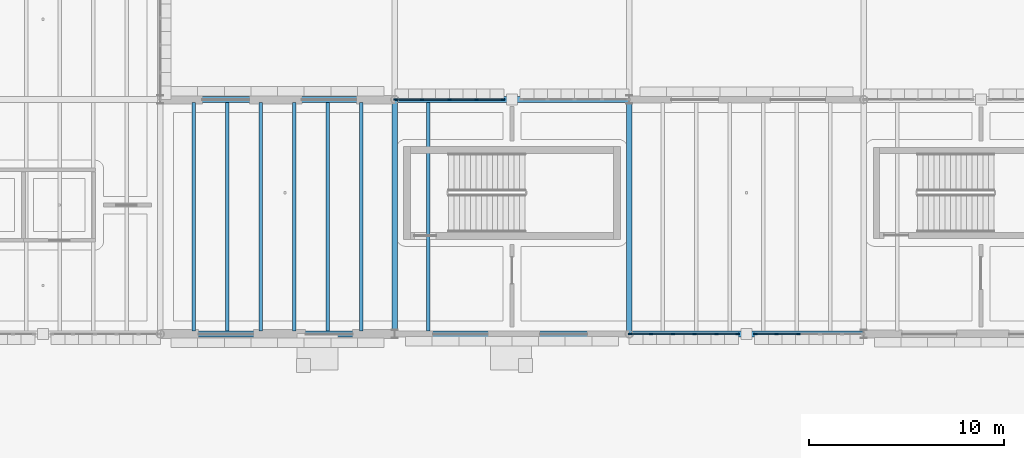
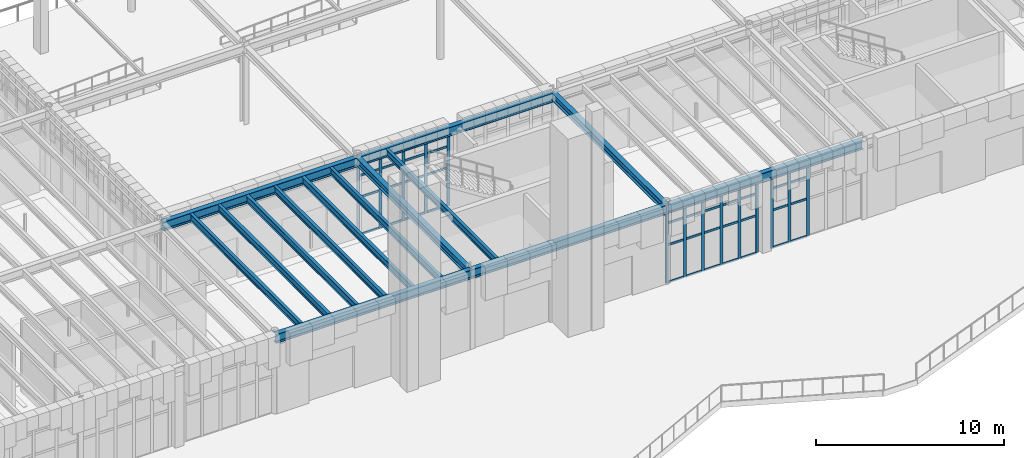
# One storey, part 26 of 103: 58 members, 14 beams, 3 elements without a shape of their own.
"""IFC4 building model written with IfcOpenShell, lengths in metres."""

from ifc_helpers import new_model, si_unit, direction, frame, origin, origin_2d, place, context, subcontext, project, spatial, rectangle, i_section, extrude, material, layer, layer_set, material_profile, profile_set, type_object, element, aggregate, save


model = new_model("IFC4")

# Units and contexts
model_context = context("Model", 3, precision=1e-05, world=origin(), true_north=direction((0.0, 1.0)))
body_context = subcontext(model_context, "Body", "Model", "MODEL_VIEW")
ifc_project = project(units=[si_unit("LENGTHUNIT", "METRE"), si_unit("AREAUNIT", "SQUARE_METRE"), si_unit("VOLUMEUNIT", "CUBIC_METRE"), si_unit("PLANEANGLEUNIT", "RADIAN"), si_unit("MASSUNIT", "GRAM", prefix="KILO")], contexts=[model_context])

# Site, building, storey
site_placement = place(None, origin())
site = spatial("IfcSite", under=ifc_project, at=site_placement, CompositionType="ELEMENT")
building_placement = place(site_placement, origin())
building = spatial("IfcBuilding", under=site, at=building_placement, Name="Zlatogorsky Bluff Art Gallery", CompositionType="ELEMENT")
storey_placement = place(building_placement, origin())
storey = spatial("IfcBuildingStorey", under=building, at=storey_placement, Name="L00", CompositionType="ELEMENT", Elevation=0.0)

# Beams
ifc_material_1 = material(Name="Steel S355", Category="steel")
ifc_material_profile_1 = material_profile(ifc_material_1, i_section(OverallWidth=0.300048828125, OverallDepth=0.590087890625, WebThickness=0.012939453125, FlangeThickness=0.02490234375, FilletRadius=0.027099609375, at=origin_2d()), Name="HEA 600")
ifc_profile_set_1 = profile_set([ifc_material_profile_1], Name="Steel S355")
beam_type_1 = type_object("IfcBeamType", Name="Beam BM-05 HEA 600", PredefinedType="BEAM", material=ifc_profile_set_1)
for number, where, z_axis, x_axis, name in (
    (1, (60.014892578125, 84.0, 4.844970703125), (1.0, 0.0, 0.0), (0.0, 1.0, 0.0), "Primary girder BM-05 L00 F-G/9"),
    (2, (60.014892578125, 96.0, 4.844970703125), (1.0, 0.0, 0.0), (0.0, 1.0, 0.0), "Primary girder BM-05 L00 F-G/10"),
    (3, (72.014892578125, 84.0, 4.844970703125), (1.0, 0.0, 0.0), (0.0, 1.0, 0.0), "Primary girder BM-05 L00 G-H/9"),
    (4, (72.014892578125, 96.0, 4.844970703125), (1.0, 0.0, 0.0), (0.0, 1.0, 0.0), "Primary girder BM-05 L00 G-H/10"),
    (5, (84.014892578125, 84.0, 4.844970703125), (1.0, 0.0, 0.0), (0.0, 1.0, 0.0), "Primary girder BM-05 L00 H-J/9"),
):
    element("IfcBeam", number, at=place(storey_placement, frame(where, z_axis=z_axis, x_axis=x_axis)), inside=storey, type_object=beam_type_1, Name=name, PredefinedType="BEAM", context=body_context, shape_type="SweptSolid", body=[
        extrude(i_section(OverallWidth=0.300048828125, OverallDepth=0.590087890625, WebThickness=0.012939453125, FlangeThickness=0.02490234375, FilletRadius=0.027099609375, at=origin_2d()), origin(), (0.0, 0.0, 1.0), 11.97021484375),
    ])
ifc_material_profile_2 = material_profile(ifc_material_1, i_section(OverallWidth=0.300048828125, OverallDepth=0.489990234375, WebThickness=0.011962890625, FlangeThickness=0.02294921875, FilletRadius=0.027099609375, at=origin_2d()), Name="HEA 500")
ifc_profile_set_2 = profile_set([ifc_material_profile_2], Name="Steel S355")
beam_type_2 = type_object("IfcBeamType", Name="Beam BM-07 HEA 500", PredefinedType="BEAM", material=ifc_profile_set_2)
for number, where, z_axis, x_axis, name in (
    (6, (72.0, 84.014892578125, 4.89501953125), (0.0, 1.0, 0.0), (-1.0, 0.0, 0.0), "Primary girder BM-07 L00 G/9-10"),
    (7, (84.0, 84.014892578125, 4.89501953125), (0.0, 1.0, 0.0), (-1.0, 0.0, 0.0), "Primary girder BM-07 L00 H/9-10"),
):
    element("IfcBeam", number, at=place(storey_placement, frame(where, z_axis=z_axis, x_axis=x_axis)), inside=storey, type_object=beam_type_2, Name=name, PredefinedType="BEAM", context=body_context, shape_type="SweptSolid", body=[
        extrude(i_section(OverallWidth=0.300048828125, OverallDepth=0.489990234375, WebThickness=0.011962890625, FlangeThickness=0.02294921875, FilletRadius=0.027099609375, at=origin_2d()), origin(), (0.0, 0.0, 1.0), 11.97021484375),
    ])
ifc_material_profile_3 = material_profile(ifc_material_1, i_section(OverallWidth=0.18994140625, OverallDepth=0.449951171875, WebThickness=0.009521484375, FlangeThickness=0.0146484375, FilletRadius=0.02099609375, at=origin_2d()), Name="IPE 450")
ifc_profile_set_3 = profile_set([ifc_material_profile_3], Name="Steel S355")
beam_type_3 = type_object("IfcBeamType", Name="Beam JS-06 IPE 450", PredefinedType="JOIST", material=ifc_profile_set_3)
for number, where, z_axis, x_axis, name in (
    (8, (61.71435546875, 84.14990234375, 4.9150390625), (0.0, 1.0, 0.0), (-1.0, 0.0, 0.0), "Composite floor joist JS-06 L00 05.08.1"),
    (9, (63.428466796875, 84.14990234375, 4.9150390625), (0.0, 1.0, 0.0), (-1.0, 0.0, 0.0), "Composite floor joist JS-06 L00 05.08.2"),
    (10, (65.142822265625, 84.14990234375, 4.9150390625), (0.0, 1.0, 0.0), (-1.0, 0.0, 0.0), "Composite floor joist JS-06 L00 05.08.3"),
    (11, (66.857177734375, 84.14990234375, 4.9150390625), (0.0, 1.0, 0.0), (-1.0, 0.0, 0.0), "Composite floor joist JS-06 L00 05.08.4"),
    (12, (68.571533203125, 84.14990234375, 4.9150390625), (0.0, 1.0, 0.0), (-1.0, 0.0, 0.0), "Composite floor joist JS-06 L00 05.08.5"),
    (13, (70.28564453125, 84.14990234375, 4.9150390625), (0.0, 1.0, 0.0), (-1.0, 0.0, 0.0), "Composite floor joist JS-06 L00 05.08.6"),
    (14, (73.71435546875, 84.14990234375, 4.9150390625), (0.0, 1.0, 0.0), (-1.0, 0.0, 0.0), "Composite floor joist JS-06 L00 06.08.1"),
):
    element("IfcBeam", number, at=place(storey_placement, frame(where, z_axis=z_axis, x_axis=x_axis)), inside=storey, type_object=beam_type_3, Name=name, PredefinedType="JOIST", context=body_context, shape_type="SweptSolid", body=[
        extrude(i_section(OverallWidth=0.18994140625, OverallDepth=0.449951171875, WebThickness=0.009521484375, FlangeThickness=0.0146484375, FilletRadius=0.02099609375, at=origin_2d()), origin(), (0.0, 0.0, 1.0), 11.7001953125),
    ])

# Curtain wall, members
ifc_material_2 = material(Name="Anodised Bronze Aluminium and Low-Iron Triple Glazing", Category="aluminium")
ifc_layer_1 = layer(ifc_material_2, 0.179931640625)
ifc_layer_set_1 = layer_set([ifc_layer_1], Name="Curtain Wall CW-01")
curtain_wall_type_1 = type_object("IfcCurtainWallType", Name="Curtain Wall CW-01", PredefinedType="USERDEFINED", material=ifc_layer_set_1)
curtain_wall_1_placement = place(storey_placement, origin())
curtain_wall_1 = element("IfcCurtainWall", 15, at=curtain_wall_1_placement, inside=storey, type_object=curtain_wall_type_1, Name="Unitised curtain wall CW-01 L00 N 6.8-B", ObjectType="CURTAIN WALL", PredefinedType="USERDEFINED")
ifc_material_3 = material(Name="Anodised Bronze Aluminium", Category="aluminium")
ifc_material_profile_4 = material_profile(ifc_material_3, rectangle(XDim=0.06494140625, YDim=0.179931640625, at=origin_2d()), Name="ALU MULLION 65x180")
ifc_profile_set_4 = profile_set([ifc_material_profile_4], Name="Anodised Bronze Aluminium")
member_type_1 = type_object("IfcMemberType", Name="Curtain Mullion ML-01", PredefinedType="MULLION", material=ifc_profile_set_4)
member_1_placement = place(storey_placement, frame((77.547607421875, 96.0, 0.0), z_axis=(0.0, 0.0, 1.0), x_axis=(0.0, -1.0, 0.0)))
member_1 = element("IfcMember", 16, at=member_1_placement, type_object=member_type_1, Name="CW-01 mullion 1", PredefinedType="MULLION", context=body_context, shape_type="SweptSolid", body=[
    extrude(rectangle(XDim=0.06494140625, YDim=0.179931640625, at=origin_2d()), origin(), (0.0, 0.0, 1.0), 4.56005859375),
])
member_2_placement = place(storey_placement, frame((76.18505859375, 96.0, 0.0), z_axis=(0.0, 0.0, 1.0), x_axis=(0.0, -1.0, 0.0)))
member_2 = element("IfcMember", 17, at=member_2_placement, type_object=member_type_1, Name="CW-01 mullion 2", PredefinedType="MULLION", context=body_context, shape_type="SweptSolid", body=[
    extrude(rectangle(XDim=0.06494140625, YDim=0.179931640625, at=origin_2d()), origin(), (0.0, 0.0, 1.0), 4.56005859375),
])
member_3_placement = place(storey_placement, frame((74.7900390625, 96.0, 0.0), z_axis=(0.0, 0.0, 1.0), x_axis=(0.0, -1.0, 0.0)))
member_3 = element("IfcMember", 18, at=member_3_placement, type_object=member_type_1, Name="CW-01 mullion 3", PredefinedType="MULLION", context=body_context, shape_type="SweptSolid", body=[
    extrude(rectangle(XDim=0.06494140625, YDim=0.179931640625, at=origin_2d()), origin(), (0.0, 0.0, 1.0), 4.56005859375),
])
member_4_placement = place(storey_placement, frame((73.39501953125, 96.0, 0.0), z_axis=(0.0, 0.0, 1.0), x_axis=(0.0, -1.0, 0.0)))
member_4 = element("IfcMember", 19, at=member_4_placement, type_object=member_type_1, Name="CW-01 mullion 4", PredefinedType="MULLION", context=body_context, shape_type="SweptSolid", body=[
    extrude(rectangle(XDim=0.06494140625, YDim=0.179931640625, at=origin_2d()), origin(), (0.0, 0.0, 1.0), 4.56005859375),
])
member_5_placement = place(storey_placement, frame((72.032470703125, 96.0, 0.0), z_axis=(0.0, 0.0, 1.0), x_axis=(0.0, -1.0, 0.0)))
member_5 = element("IfcMember", 20, at=member_5_placement, type_object=member_type_1, Name="CW-01 mullion 5", PredefinedType="MULLION", context=body_context, shape_type="SweptSolid", body=[
    extrude(rectangle(XDim=0.06494140625, YDim=0.179931640625, at=origin_2d()), origin(), (0.0, 0.0, 1.0), 4.56005859375),
])

ifc_layer_2 = layer(ifc_material_2, 0.179931640625)
ifc_layer_set_2 = layer_set([ifc_layer_2], Name="Curtain Wall CW-03")
curtain_wall_type_2 = type_object("IfcCurtainWallType", Name="Curtain Wall CW-03", PredefinedType="USERDEFINED", material=ifc_layer_set_2)
curtain_wall_2_placement = place(storey_placement, origin())
curtain_wall_2 = element("IfcCurtainWall", 21, at=curtain_wall_2_placement, inside=storey, type_object=curtain_wall_type_2, Name="Unitised curtain wall CW-03 L00 S 7.8-A", ObjectType="CURTAIN WALL", PredefinedType="USERDEFINED")
member_6_placement = place(storey_placement, frame((84.032470703125, 84.0, 0.0), z_axis=(0.0, 0.0, 1.0), x_axis=(0.0, 1.0, 0.0)))
member_6 = element("IfcMember", 22, at=member_6_placement, type_object=member_type_1, Name="CW-03 mullion 1", PredefinedType="MULLION", context=body_context, shape_type="SweptSolid", body=[
    extrude(rectangle(XDim=0.06494140625, YDim=0.179931640625, at=origin_2d()), origin(), (0.0, 0.0, 1.0), 4.56005859375),
])
member_7_placement = place(storey_placement, frame((85.115966796875, 84.0, 0.0), z_axis=(0.0, 0.0, 1.0), x_axis=(0.0, 1.0, 0.0)))
member_7 = element("IfcMember", 23, at=member_7_placement, type_object=member_type_1, Name="CW-03 mullion 2", PredefinedType="MULLION", context=body_context, shape_type="SweptSolid", body=[
    extrude(rectangle(XDim=0.06494140625, YDim=0.179931640625, at=origin_2d()), origin(), (0.0, 0.0, 1.0), 4.56005859375),
])
member_8_placement = place(storey_placement, frame((86.23193359375, 84.0, 0.0), z_axis=(0.0, 0.0, 1.0), x_axis=(0.0, 1.0, 0.0)))
member_8 = element("IfcMember", 24, at=member_8_placement, type_object=member_type_1, Name="CW-03 mullion 3", PredefinedType="MULLION", context=body_context, shape_type="SweptSolid", body=[
    extrude(rectangle(XDim=0.06494140625, YDim=0.179931640625, at=origin_2d()), origin(), (0.0, 0.0, 1.0), 4.56005859375),
])
member_9_placement = place(storey_placement, frame((87.347900390625, 84.0, 0.0), z_axis=(0.0, 0.0, 1.0), x_axis=(0.0, 1.0, 0.0)))
member_9 = element("IfcMember", 25, at=member_9_placement, type_object=member_type_1, Name="CW-03 mullion 4", PredefinedType="MULLION", context=body_context, shape_type="SweptSolid", body=[
    extrude(rectangle(XDim=0.06494140625, YDim=0.179931640625, at=origin_2d()), origin(), (0.0, 0.0, 1.0), 4.56005859375),
])
member_10_placement = place(storey_placement, frame((88.464111328125, 84.0, 0.0), z_axis=(0.0, 0.0, 1.0), x_axis=(0.0, 1.0, 0.0)))
member_10 = element("IfcMember", 26, at=member_10_placement, type_object=member_type_1, Name="CW-03 mullion 5", PredefinedType="MULLION", context=body_context, shape_type="SweptSolid", body=[
    extrude(rectangle(XDim=0.06494140625, YDim=0.179931640625, at=origin_2d()), origin(), (0.0, 0.0, 1.0), 4.56005859375),
])
member_11_placement = place(storey_placement, frame((89.547607421875, 84.0, 0.0), z_axis=(0.0, 0.0, 1.0), x_axis=(0.0, 1.0, 0.0)))
member_11 = element("IfcMember", 27, at=member_11_placement, type_object=member_type_1, Name="CW-03 mullion 6", PredefinedType="MULLION", context=body_context, shape_type="SweptSolid", body=[
    extrude(rectangle(XDim=0.06494140625, YDim=0.179931640625, at=origin_2d()), origin(), (0.0, 0.0, 1.0), 4.56005859375),
])

curtain_wall_3_placement = place(storey_placement, origin())
curtain_wall_3 = element("IfcCurtainWall", 28, at=curtain_wall_3_placement, inside=storey, type_object=curtain_wall_type_2, Name="Unitised curtain wall CW-03 L00 S 7.8-B", ObjectType="CURTAIN WALL", PredefinedType="USERDEFINED")
member_12_placement = place(storey_placement, frame((90.452392578125, 84.0, 0.0), z_axis=(0.0, 0.0, 1.0), x_axis=(0.0, 1.0, 0.0)))
member_12 = element("IfcMember", 29, at=member_12_placement, type_object=member_type_1, Name="CW-03 mullion 1", PredefinedType="MULLION", context=body_context, shape_type="SweptSolid", body=[
    extrude(rectangle(XDim=0.06494140625, YDim=0.179931640625, at=origin_2d()), origin(), (0.0, 0.0, 1.0), 4.56005859375),
])
member_13_placement = place(storey_placement, frame((91.535888671875, 84.0, 0.0), z_axis=(0.0, 0.0, 1.0), x_axis=(0.0, 1.0, 0.0)))
member_13 = element("IfcMember", 30, at=member_13_placement, type_object=member_type_1, Name="CW-03 mullion 2", PredefinedType="MULLION", context=body_context, shape_type="SweptSolid", body=[
    extrude(rectangle(XDim=0.06494140625, YDim=0.179931640625, at=origin_2d()), origin(), (0.0, 0.0, 1.0), 4.56005859375),
])
member_14_placement = place(storey_placement, frame((92.652099609375, 84.0, 0.0), z_axis=(0.0, 0.0, 1.0), x_axis=(0.0, 1.0, 0.0)))
member_14 = element("IfcMember", 31, at=member_14_placement, type_object=member_type_1, Name="CW-03 mullion 3", PredefinedType="MULLION", context=body_context, shape_type="SweptSolid", body=[
    extrude(rectangle(XDim=0.06494140625, YDim=0.179931640625, at=origin_2d()), origin(), (0.0, 0.0, 1.0), 4.56005859375),
])

# Member
ifc_material_profile_5 = material_profile(ifc_material_3, rectangle(XDim=0.06494140625, YDim=0.139892578125, at=origin_2d()), Name="ALU TRANSOM 65x140")
ifc_profile_set_5 = profile_set([ifc_material_profile_5], Name="Anodised Bronze Aluminium")
member_type_2 = type_object("IfcMemberType", Name="Curtain Transom TR-01", PredefinedType="USERDEFINED", material=ifc_profile_set_5)
member_15_placement = place(storey_placement, frame((77.514892578125, 96.0, 0.032470703125), z_axis=(-1.0, 0.0, 0.0), x_axis=(0.0, -1.0, 0.0)))
member_15 = element("IfcMember", 32, at=member_15_placement, type_object=member_type_2, Name="CW-01 transom 1.1", ObjectType="TRANSOM", PredefinedType="USERDEFINED", context=body_context, shape_type="SweptSolid", body=[
    extrude(rectangle(XDim=0.06494140625, YDim=0.139892578125, at=origin_2d()), origin(), (0.0, 0.0, 1.0), 1.29736328125),
])

member_16_placement = place(storey_placement, frame((77.514892578125, 96.0, 2.449951171875), z_axis=(-1.0, 0.0, 0.0), x_axis=(0.0, -1.0, 0.0)))
member_16 = element("IfcMember", 33, at=member_16_placement, type_object=member_type_2, Name="CW-01 transom 1.2", ObjectType="TRANSOM", PredefinedType="USERDEFINED", context=body_context, shape_type="SweptSolid", body=[
    extrude(rectangle(XDim=0.06494140625, YDim=0.139892578125, at=origin_2d()), origin(), (0.0, 0.0, 1.0), 1.29736328125),
])

member_17_placement = place(storey_placement, frame((77.514892578125, 96.0, 3.85009765625), z_axis=(-1.0, 0.0, 0.0), x_axis=(0.0, -1.0, 0.0)))
member_17 = element("IfcMember", 34, at=member_17_placement, type_object=member_type_2, Name="CW-01 transom 1.3", ObjectType="TRANSOM", PredefinedType="USERDEFINED", context=body_context, shape_type="SweptSolid", body=[
    extrude(rectangle(XDim=0.06494140625, YDim=0.139892578125, at=origin_2d()), origin(), (0.0, 0.0, 1.0), 1.29736328125),
])

member_18_placement = place(storey_placement, frame((77.514892578125, 96.0, 4.527587890625), z_axis=(-1.0, 0.0, 0.0), x_axis=(0.0, -1.0, 0.0)))
member_18 = element("IfcMember", 35, at=member_18_placement, type_object=member_type_2, Name="CW-01 transom 1.4", ObjectType="TRANSOM", PredefinedType="USERDEFINED", context=body_context, shape_type="SweptSolid", body=[
    extrude(rectangle(XDim=0.06494140625, YDim=0.139892578125, at=origin_2d()), origin(), (0.0, 0.0, 1.0), 1.29736328125),
])

member_19_placement = place(storey_placement, frame((76.152587890625, 96.0, 0.032470703125), z_axis=(-1.0, 0.0, 0.0), x_axis=(0.0, -1.0, 0.0)))
member_19 = element("IfcMember", 36, at=member_19_placement, type_object=member_type_2, Name="CW-01 transom 2.1", ObjectType="TRANSOM", PredefinedType="USERDEFINED", context=body_context, shape_type="SweptSolid", body=[
    extrude(rectangle(XDim=0.06494140625, YDim=0.139892578125, at=origin_2d()), origin(), (0.0, 0.0, 1.0), 1.330078125),
])

member_20_placement = place(storey_placement, frame((76.152587890625, 96.0, 2.449951171875), z_axis=(-1.0, 0.0, 0.0), x_axis=(0.0, -1.0, 0.0)))
member_20 = element("IfcMember", 37, at=member_20_placement, type_object=member_type_2, Name="CW-01 transom 2.2", ObjectType="TRANSOM", PredefinedType="USERDEFINED", context=body_context, shape_type="SweptSolid", body=[
    extrude(rectangle(XDim=0.06494140625, YDim=0.139892578125, at=origin_2d()), origin(), (0.0, 0.0, 1.0), 1.330078125),
])

member_21_placement = place(storey_placement, frame((76.152587890625, 96.0, 3.85009765625), z_axis=(-1.0, 0.0, 0.0), x_axis=(0.0, -1.0, 0.0)))
member_21 = element("IfcMember", 38, at=member_21_placement, type_object=member_type_2, Name="CW-01 transom 2.3", ObjectType="TRANSOM", PredefinedType="USERDEFINED", context=body_context, shape_type="SweptSolid", body=[
    extrude(rectangle(XDim=0.06494140625, YDim=0.139892578125, at=origin_2d()), origin(), (0.0, 0.0, 1.0), 1.330078125),
])

member_22_placement = place(storey_placement, frame((76.152587890625, 96.0, 4.527587890625), z_axis=(-1.0, 0.0, 0.0), x_axis=(0.0, -1.0, 0.0)))
member_22 = element("IfcMember", 39, at=member_22_placement, type_object=member_type_2, Name="CW-01 transom 2.4", ObjectType="TRANSOM", PredefinedType="USERDEFINED", context=body_context, shape_type="SweptSolid", body=[
    extrude(rectangle(XDim=0.06494140625, YDim=0.139892578125, at=origin_2d()), origin(), (0.0, 0.0, 1.0), 1.330078125),
])

member_23_placement = place(storey_placement, frame((74.757568359375, 96.0, 0.032470703125), z_axis=(-1.0, 0.0, 0.0), x_axis=(0.0, -1.0, 0.0)))
member_23 = element("IfcMember", 40, at=member_23_placement, type_object=member_type_2, Name="CW-01 transom 3.1", ObjectType="TRANSOM", PredefinedType="USERDEFINED", context=body_context, shape_type="SweptSolid", body=[
    extrude(rectangle(XDim=0.06494140625, YDim=0.139892578125, at=origin_2d()), origin(), (0.0, 0.0, 1.0), 1.330078125),
])

member_24_placement = place(storey_placement, frame((74.757568359375, 96.0, 2.449951171875), z_axis=(-1.0, 0.0, 0.0), x_axis=(0.0, -1.0, 0.0)))
member_24 = element("IfcMember", 41, at=member_24_placement, type_object=member_type_2, Name="CW-01 transom 3.2", ObjectType="TRANSOM", PredefinedType="USERDEFINED", context=body_context, shape_type="SweptSolid", body=[
    extrude(rectangle(XDim=0.06494140625, YDim=0.139892578125, at=origin_2d()), origin(), (0.0, 0.0, 1.0), 1.330078125),
])

member_25_placement = place(storey_placement, frame((74.757568359375, 96.0, 3.85009765625), z_axis=(-1.0, 0.0, 0.0), x_axis=(0.0, -1.0, 0.0)))
member_25 = element("IfcMember", 42, at=member_25_placement, type_object=member_type_2, Name="CW-01 transom 3.3", ObjectType="TRANSOM", PredefinedType="USERDEFINED", context=body_context, shape_type="SweptSolid", body=[
    extrude(rectangle(XDim=0.06494140625, YDim=0.139892578125, at=origin_2d()), origin(), (0.0, 0.0, 1.0), 1.330078125),
])

member_26_placement = place(storey_placement, frame((74.757568359375, 96.0, 4.527587890625), z_axis=(-1.0, 0.0, 0.0), x_axis=(0.0, -1.0, 0.0)))
member_26 = element("IfcMember", 43, at=member_26_placement, type_object=member_type_2, Name="CW-01 transom 3.4", ObjectType="TRANSOM", PredefinedType="USERDEFINED", context=body_context, shape_type="SweptSolid", body=[
    extrude(rectangle(XDim=0.06494140625, YDim=0.139892578125, at=origin_2d()), origin(), (0.0, 0.0, 1.0), 1.330078125),
])

member_27_placement = place(storey_placement, frame((73.362548828125, 96.0, 0.032470703125), z_axis=(-1.0, 0.0, 0.0), x_axis=(0.0, -1.0, 0.0)))
member_27 = element("IfcMember", 44, at=member_27_placement, type_object=member_type_2, Name="CW-01 transom 4.1", ObjectType="TRANSOM", PredefinedType="USERDEFINED", context=body_context, shape_type="SweptSolid", body=[
    extrude(rectangle(XDim=0.06494140625, YDim=0.139892578125, at=origin_2d()), origin(), (0.0, 0.0, 1.0), 1.297607421875),
])

member_28_placement = place(storey_placement, frame((73.362548828125, 96.0, 2.449951171875), z_axis=(-1.0, 0.0, 0.0), x_axis=(0.0, -1.0, 0.0)))
member_28 = element("IfcMember", 45, at=member_28_placement, type_object=member_type_2, Name="CW-01 transom 4.2", ObjectType="TRANSOM", PredefinedType="USERDEFINED", context=body_context, shape_type="SweptSolid", body=[
    extrude(rectangle(XDim=0.06494140625, YDim=0.139892578125, at=origin_2d()), origin(), (0.0, 0.0, 1.0), 1.297607421875),
])

member_29_placement = place(storey_placement, frame((73.362548828125, 96.0, 3.85009765625), z_axis=(-1.0, 0.0, 0.0), x_axis=(0.0, -1.0, 0.0)))
member_29 = element("IfcMember", 46, at=member_29_placement, type_object=member_type_2, Name="CW-01 transom 4.3", ObjectType="TRANSOM", PredefinedType="USERDEFINED", context=body_context, shape_type="SweptSolid", body=[
    extrude(rectangle(XDim=0.06494140625, YDim=0.139892578125, at=origin_2d()), origin(), (0.0, 0.0, 1.0), 1.297607421875),
])

member_30_placement = place(storey_placement, frame((73.362548828125, 96.0, 4.527587890625), z_axis=(-1.0, 0.0, 0.0), x_axis=(0.0, -1.0, 0.0)))
member_30 = element("IfcMember", 47, at=member_30_placement, type_object=member_type_2, Name="CW-01 transom 4.4", ObjectType="TRANSOM", PredefinedType="USERDEFINED", context=body_context, shape_type="SweptSolid", body=[
    extrude(rectangle(XDim=0.06494140625, YDim=0.139892578125, at=origin_2d()), origin(), (0.0, 0.0, 1.0), 1.297607421875),
])

aggregate(curtain_wall_1, [member_1, member_2, member_3, member_4, member_5, member_15, member_16, member_17, member_18, member_19, member_20, member_21, member_22, member_23, member_24, member_25, member_26, member_27, member_28, member_29, member_30])

member_31_placement = place(storey_placement, frame((84.06494140625, 84.0, 0.032470703125), z_axis=(1.0, 0.0, 0.0), x_axis=(0.0, 1.0, 0.0)))
member_31 = element("IfcMember", 48, at=member_31_placement, type_object=member_type_2, Name="CW-03 transom 1.1", ObjectType="TRANSOM", PredefinedType="USERDEFINED", context=body_context, shape_type="SweptSolid", body=[
    extrude(rectangle(XDim=0.06494140625, YDim=0.139892578125, at=origin_2d()), origin(), (0.0, 0.0, 1.0), 1.0185546875),
])

member_32_placement = place(storey_placement, frame((84.06494140625, 84.0, 2.449951171875), z_axis=(1.0, 0.0, 0.0), x_axis=(0.0, 1.0, 0.0)))
member_32 = element("IfcMember", 49, at=member_32_placement, type_object=member_type_2, Name="CW-03 transom 1.2", ObjectType="TRANSOM", PredefinedType="USERDEFINED", context=body_context, shape_type="SweptSolid", body=[
    extrude(rectangle(XDim=0.06494140625, YDim=0.139892578125, at=origin_2d()), origin(), (0.0, 0.0, 1.0), 1.0185546875),
])

member_33_placement = place(storey_placement, frame((84.06494140625, 84.0, 3.85009765625), z_axis=(1.0, 0.0, 0.0), x_axis=(0.0, 1.0, 0.0)))
member_33 = element("IfcMember", 50, at=member_33_placement, type_object=member_type_2, Name="CW-03 transom 1.3", ObjectType="TRANSOM", PredefinedType="USERDEFINED", context=body_context, shape_type="SweptSolid", body=[
    extrude(rectangle(XDim=0.06494140625, YDim=0.139892578125, at=origin_2d()), origin(), (0.0, 0.0, 1.0), 1.0185546875),
])

member_34_placement = place(storey_placement, frame((84.06494140625, 84.0, 4.527587890625), z_axis=(1.0, 0.0, 0.0), x_axis=(0.0, 1.0, 0.0)))
member_34 = element("IfcMember", 51, at=member_34_placement, type_object=member_type_2, Name="CW-03 transom 1.4", ObjectType="TRANSOM", PredefinedType="USERDEFINED", context=body_context, shape_type="SweptSolid", body=[
    extrude(rectangle(XDim=0.06494140625, YDim=0.139892578125, at=origin_2d()), origin(), (0.0, 0.0, 1.0), 1.0185546875),
])

member_35_placement = place(storey_placement, frame((85.1484375, 84.0, 0.032470703125), z_axis=(1.0, 0.0, 0.0), x_axis=(0.0, 1.0, 0.0)))
member_35 = element("IfcMember", 52, at=member_35_placement, type_object=member_type_2, Name="CW-03 transom 2.1", ObjectType="TRANSOM", PredefinedType="USERDEFINED", context=body_context, shape_type="SweptSolid", body=[
    extrude(rectangle(XDim=0.06494140625, YDim=0.139892578125, at=origin_2d()), origin(), (0.0, 0.0, 1.0), 1.051025390625),
])

member_36_placement = place(storey_placement, frame((85.1484375, 84.0, 2.449951171875), z_axis=(1.0, 0.0, 0.0), x_axis=(0.0, 1.0, 0.0)))
member_36 = element("IfcMember", 53, at=member_36_placement, type_object=member_type_2, Name="CW-03 transom 2.2", ObjectType="TRANSOM", PredefinedType="USERDEFINED", context=body_context, shape_type="SweptSolid", body=[
    extrude(rectangle(XDim=0.06494140625, YDim=0.139892578125, at=origin_2d()), origin(), (0.0, 0.0, 1.0), 1.051025390625),
])

member_37_placement = place(storey_placement, frame((85.1484375, 84.0, 3.85009765625), z_axis=(1.0, 0.0, 0.0), x_axis=(0.0, 1.0, 0.0)))
member_37 = element("IfcMember", 54, at=member_37_placement, type_object=member_type_2, Name="CW-03 transom 2.3", ObjectType="TRANSOM", PredefinedType="USERDEFINED", context=body_context, shape_type="SweptSolid", body=[
    extrude(rectangle(XDim=0.06494140625, YDim=0.139892578125, at=origin_2d()), origin(), (0.0, 0.0, 1.0), 1.051025390625),
])

member_38_placement = place(storey_placement, frame((85.1484375, 84.0, 4.527587890625), z_axis=(1.0, 0.0, 0.0), x_axis=(0.0, 1.0, 0.0)))
member_38 = element("IfcMember", 55, at=member_38_placement, type_object=member_type_2, Name="CW-03 transom 2.4", ObjectType="TRANSOM", PredefinedType="USERDEFINED", context=body_context, shape_type="SweptSolid", body=[
    extrude(rectangle(XDim=0.06494140625, YDim=0.139892578125, at=origin_2d()), origin(), (0.0, 0.0, 1.0), 1.051025390625),
])

member_39_placement = place(storey_placement, frame((86.264404296875, 84.0, 0.032470703125), z_axis=(1.0, 0.0, 0.0), x_axis=(0.0, 1.0, 0.0)))
member_39 = element("IfcMember", 56, at=member_39_placement, type_object=member_type_2, Name="CW-03 transom 3.1", ObjectType="TRANSOM", PredefinedType="USERDEFINED", context=body_context, shape_type="SweptSolid", body=[
    extrude(rectangle(XDim=0.06494140625, YDim=0.139892578125, at=origin_2d()), origin(), (0.0, 0.0, 1.0), 1.051025390625),
])

member_40_placement = place(storey_placement, frame((86.264404296875, 84.0, 2.449951171875), z_axis=(1.0, 0.0, 0.0), x_axis=(0.0, 1.0, 0.0)))
member_40 = element("IfcMember", 57, at=member_40_placement, type_object=member_type_2, Name="CW-03 transom 3.2", ObjectType="TRANSOM", PredefinedType="USERDEFINED", context=body_context, shape_type="SweptSolid", body=[
    extrude(rectangle(XDim=0.06494140625, YDim=0.139892578125, at=origin_2d()), origin(), (0.0, 0.0, 1.0), 1.051025390625),
])

member_41_placement = place(storey_placement, frame((86.264404296875, 84.0, 3.85009765625), z_axis=(1.0, 0.0, 0.0), x_axis=(0.0, 1.0, 0.0)))
member_41 = element("IfcMember", 58, at=member_41_placement, type_object=member_type_2, Name="CW-03 transom 3.3", ObjectType="TRANSOM", PredefinedType="USERDEFINED", context=body_context, shape_type="SweptSolid", body=[
    extrude(rectangle(XDim=0.06494140625, YDim=0.139892578125, at=origin_2d()), origin(), (0.0, 0.0, 1.0), 1.051025390625),
])

member_42_placement = place(storey_placement, frame((86.264404296875, 84.0, 4.527587890625), z_axis=(1.0, 0.0, 0.0), x_axis=(0.0, 1.0, 0.0)))
member_42 = element("IfcMember", 59, at=member_42_placement, type_object=member_type_2, Name="CW-03 transom 3.4", ObjectType="TRANSOM", PredefinedType="USERDEFINED", context=body_context, shape_type="SweptSolid", body=[
    extrude(rectangle(XDim=0.06494140625, YDim=0.139892578125, at=origin_2d()), origin(), (0.0, 0.0, 1.0), 1.051025390625),
])

member_43_placement = place(storey_placement, frame((87.380615234375, 84.0, 0.032470703125), z_axis=(1.0, 0.0, 0.0), x_axis=(0.0, 1.0, 0.0)))
member_43 = element("IfcMember", 60, at=member_43_placement, type_object=member_type_2, Name="CW-03 transom 4.1", ObjectType="TRANSOM", PredefinedType="USERDEFINED", context=body_context, shape_type="SweptSolid", body=[
    extrude(rectangle(XDim=0.06494140625, YDim=0.139892578125, at=origin_2d()), origin(), (0.0, 0.0, 1.0), 1.05078125),
])

member_44_placement = place(storey_placement, frame((87.380615234375, 84.0, 2.449951171875), z_axis=(1.0, 0.0, 0.0), x_axis=(0.0, 1.0, 0.0)))
member_44 = element("IfcMember", 61, at=member_44_placement, type_object=member_type_2, Name="CW-03 transom 4.2", ObjectType="TRANSOM", PredefinedType="USERDEFINED", context=body_context, shape_type="SweptSolid", body=[
    extrude(rectangle(XDim=0.06494140625, YDim=0.139892578125, at=origin_2d()), origin(), (0.0, 0.0, 1.0), 1.05078125),
])

member_45_placement = place(storey_placement, frame((87.380615234375, 84.0, 3.85009765625), z_axis=(1.0, 0.0, 0.0), x_axis=(0.0, 1.0, 0.0)))
member_45 = element("IfcMember", 62, at=member_45_placement, type_object=member_type_2, Name="CW-03 transom 4.3", ObjectType="TRANSOM", PredefinedType="USERDEFINED", context=body_context, shape_type="SweptSolid", body=[
    extrude(rectangle(XDim=0.06494140625, YDim=0.139892578125, at=origin_2d()), origin(), (0.0, 0.0, 1.0), 1.05078125),
])

member_46_placement = place(storey_placement, frame((87.380615234375, 84.0, 4.527587890625), z_axis=(1.0, 0.0, 0.0), x_axis=(0.0, 1.0, 0.0)))
member_46 = element("IfcMember", 63, at=member_46_placement, type_object=member_type_2, Name="CW-03 transom 4.4", ObjectType="TRANSOM", PredefinedType="USERDEFINED", context=body_context, shape_type="SweptSolid", body=[
    extrude(rectangle(XDim=0.06494140625, YDim=0.139892578125, at=origin_2d()), origin(), (0.0, 0.0, 1.0), 1.05078125),
])

member_47_placement = place(storey_placement, frame((88.49658203125, 84.0, 0.032470703125), z_axis=(1.0, 0.0, 0.0), x_axis=(0.0, 1.0, 0.0)))
member_47 = element("IfcMember", 64, at=member_47_placement, type_object=member_type_2, Name="CW-03 transom 5.1", ObjectType="TRANSOM", PredefinedType="USERDEFINED", context=body_context, shape_type="SweptSolid", body=[
    extrude(rectangle(XDim=0.06494140625, YDim=0.139892578125, at=origin_2d()), origin(), (0.0, 0.0, 1.0), 1.018310546875),
])

member_48_placement = place(storey_placement, frame((88.49658203125, 84.0, 2.449951171875), z_axis=(1.0, 0.0, 0.0), x_axis=(0.0, 1.0, 0.0)))
member_48 = element("IfcMember", 65, at=member_48_placement, type_object=member_type_2, Name="CW-03 transom 5.2", ObjectType="TRANSOM", PredefinedType="USERDEFINED", context=body_context, shape_type="SweptSolid", body=[
    extrude(rectangle(XDim=0.06494140625, YDim=0.139892578125, at=origin_2d()), origin(), (0.0, 0.0, 1.0), 1.018310546875),
])

member_49_placement = place(storey_placement, frame((88.49658203125, 84.0, 3.85009765625), z_axis=(1.0, 0.0, 0.0), x_axis=(0.0, 1.0, 0.0)))
member_49 = element("IfcMember", 66, at=member_49_placement, type_object=member_type_2, Name="CW-03 transom 5.3", ObjectType="TRANSOM", PredefinedType="USERDEFINED", context=body_context, shape_type="SweptSolid", body=[
    extrude(rectangle(XDim=0.06494140625, YDim=0.139892578125, at=origin_2d()), origin(), (0.0, 0.0, 1.0), 1.018310546875),
])

member_50_placement = place(storey_placement, frame((88.49658203125, 84.0, 4.527587890625), z_axis=(1.0, 0.0, 0.0), x_axis=(0.0, 1.0, 0.0)))
member_50 = element("IfcMember", 67, at=member_50_placement, type_object=member_type_2, Name="CW-03 transom 5.4", ObjectType="TRANSOM", PredefinedType="USERDEFINED", context=body_context, shape_type="SweptSolid", body=[
    extrude(rectangle(XDim=0.06494140625, YDim=0.139892578125, at=origin_2d()), origin(), (0.0, 0.0, 1.0), 1.018310546875),
])

aggregate(curtain_wall_2, [member_6, member_7, member_8, member_9, member_10, member_11, member_31, member_32, member_33, member_34, member_35, member_36, member_37, member_38, member_39, member_40, member_41, member_42, member_43, member_44, member_45, member_46, member_47, member_48, member_49, member_50])

member_51_placement = place(storey_placement, frame((90.485107421875, 84.0, 0.032470703125), z_axis=(1.0, 0.0, 0.0), x_axis=(0.0, 1.0, 0.0)))
member_51 = element("IfcMember", 68, at=member_51_placement, type_object=member_type_2, Name="CW-03 transom 1.1", ObjectType="TRANSOM", PredefinedType="USERDEFINED", context=body_context, shape_type="SweptSolid", body=[
    extrude(rectangle(XDim=0.06494140625, YDim=0.139892578125, at=origin_2d()), origin(), (0.0, 0.0, 1.0), 1.018310546875),
])

member_52_placement = place(storey_placement, frame((90.485107421875, 84.0, 2.449951171875), z_axis=(1.0, 0.0, 0.0), x_axis=(0.0, 1.0, 0.0)))
member_52 = element("IfcMember", 69, at=member_52_placement, type_object=member_type_2, Name="CW-03 transom 1.2", ObjectType="TRANSOM", PredefinedType="USERDEFINED", context=body_context, shape_type="SweptSolid", body=[
    extrude(rectangle(XDim=0.06494140625, YDim=0.139892578125, at=origin_2d()), origin(), (0.0, 0.0, 1.0), 1.018310546875),
])

member_53_placement = place(storey_placement, frame((90.485107421875, 84.0, 3.85009765625), z_axis=(1.0, 0.0, 0.0), x_axis=(0.0, 1.0, 0.0)))
member_53 = element("IfcMember", 70, at=member_53_placement, type_object=member_type_2, Name="CW-03 transom 1.3", ObjectType="TRANSOM", PredefinedType="USERDEFINED", context=body_context, shape_type="SweptSolid", body=[
    extrude(rectangle(XDim=0.06494140625, YDim=0.139892578125, at=origin_2d()), origin(), (0.0, 0.0, 1.0), 1.018310546875),
])

member_54_placement = place(storey_placement, frame((90.485107421875, 84.0, 4.527587890625), z_axis=(1.0, 0.0, 0.0), x_axis=(0.0, 1.0, 0.0)))
member_54 = element("IfcMember", 71, at=member_54_placement, type_object=member_type_2, Name="CW-03 transom 1.4", ObjectType="TRANSOM", PredefinedType="USERDEFINED", context=body_context, shape_type="SweptSolid", body=[
    extrude(rectangle(XDim=0.06494140625, YDim=0.139892578125, at=origin_2d()), origin(), (0.0, 0.0, 1.0), 1.018310546875),
])

member_55_placement = place(storey_placement, frame((91.568603515625, 84.0, 0.032470703125), z_axis=(1.0, 0.0, 0.0), x_axis=(0.0, 1.0, 0.0)))
member_55 = element("IfcMember", 72, at=member_55_placement, type_object=member_type_2, Name="CW-03 transom 2.1", ObjectType="TRANSOM", PredefinedType="USERDEFINED", context=body_context, shape_type="SweptSolid", body=[
    extrude(rectangle(XDim=0.06494140625, YDim=0.139892578125, at=origin_2d()), origin(), (0.0, 0.0, 1.0), 1.05078125),
])

member_56_placement = place(storey_placement, frame((91.568603515625, 84.0, 2.449951171875), z_axis=(1.0, 0.0, 0.0), x_axis=(0.0, 1.0, 0.0)))
member_56 = element("IfcMember", 73, at=member_56_placement, type_object=member_type_2, Name="CW-03 transom 2.2", ObjectType="TRANSOM", PredefinedType="USERDEFINED", context=body_context, shape_type="SweptSolid", body=[
    extrude(rectangle(XDim=0.06494140625, YDim=0.139892578125, at=origin_2d()), origin(), (0.0, 0.0, 1.0), 1.05078125),
])

member_57_placement = place(storey_placement, frame((91.568603515625, 84.0, 3.85009765625), z_axis=(1.0, 0.0, 0.0), x_axis=(0.0, 1.0, 0.0)))
member_57 = element("IfcMember", 74, at=member_57_placement, type_object=member_type_2, Name="CW-03 transom 2.3", ObjectType="TRANSOM", PredefinedType="USERDEFINED", context=body_context, shape_type="SweptSolid", body=[
    extrude(rectangle(XDim=0.06494140625, YDim=0.139892578125, at=origin_2d()), origin(), (0.0, 0.0, 1.0), 1.05078125),
])

member_58_placement = place(storey_placement, frame((91.568603515625, 84.0, 4.527587890625), z_axis=(1.0, 0.0, 0.0), x_axis=(0.0, 1.0, 0.0)))
member_58 = element("IfcMember", 75, at=member_58_placement, type_object=member_type_2, Name="CW-03 transom 2.4", ObjectType="TRANSOM", PredefinedType="USERDEFINED", context=body_context, shape_type="SweptSolid", body=[
    extrude(rectangle(XDim=0.06494140625, YDim=0.139892578125, at=origin_2d()), origin(), (0.0, 0.0, 1.0), 1.05078125),
])

aggregate(curtain_wall_3, [member_12, member_13, member_14, member_51, member_52, member_53, member_54, member_55, member_56, member_57, member_58])

save(model, "model.ifc")
